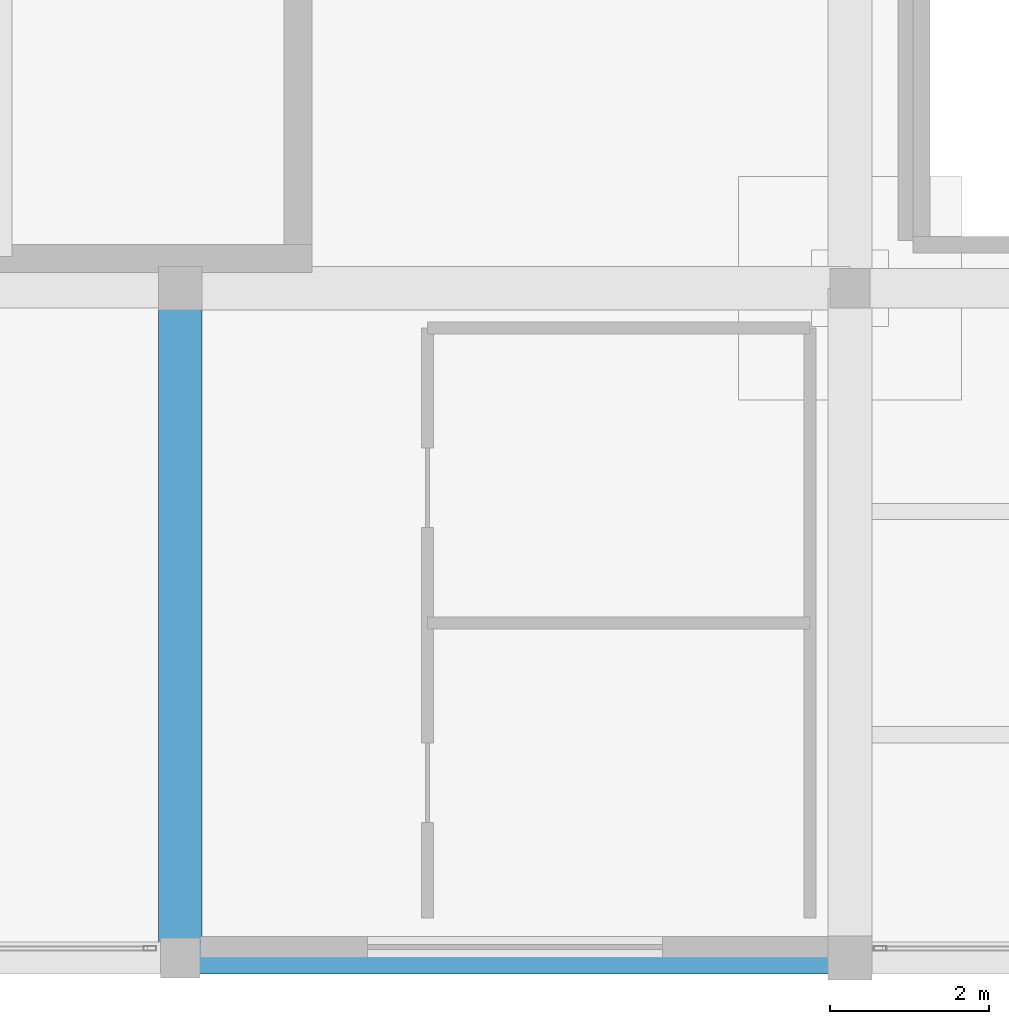
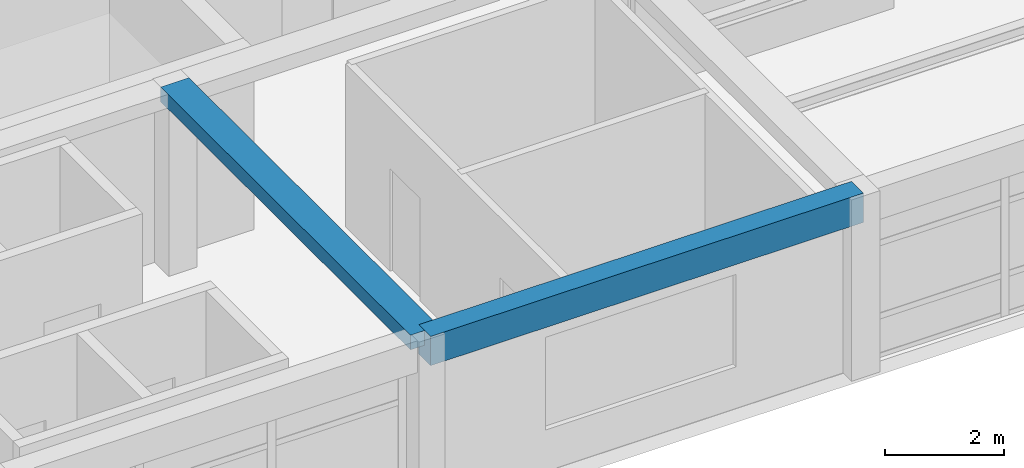
# One storey, part 3 of 22: 2 beams.
"""IFC4 building model written with IfcOpenShell, lengths in metres."""

from ifc_helpers import new_model, si_unit, direction, frame, origin, origin_2d, place, context, subcontext, project, spatial, rectangle, extrude, material, material_profile, profile_set, type_object, element, save


model = new_model("IFC4")

# Units and contexts
model_context = context("Model", 3, precision=1e-05, world=origin(), true_north=direction((0.0, 1.0)))
body_context = subcontext(model_context, "Body", "Model", "MODEL_VIEW")
ifc_project = project(units=[si_unit("LENGTHUNIT", "METRE"), si_unit("AREAUNIT", "SQUARE_METRE"), si_unit("VOLUMEUNIT", "CUBIC_METRE"), si_unit("PLANEANGLEUNIT", "RADIAN"), si_unit("MASSUNIT", "GRAM", prefix="KILO")], contexts=[model_context])

# Site, building, storey
site_placement = place(None, origin())
site = spatial("IfcSite", under=ifc_project, at=site_placement, CompositionType="ELEMENT")
building_placement = place(site_placement, origin())
building = spatial("IfcBuilding", under=site, at=building_placement, Name="Almacenes y Pasaje Nevantli", CompositionType="ELEMENT")
storey_placement = place(building_placement, frame((0.0, 0.0, 58.699951171875)))
storey = spatial("IfcBuildingStorey", under=building, at=storey_placement, Name="L14", CompositionType="ELEMENT", Elevation=58.699951171875)

# Beams
ifc_material_1 = material(Name="Concrete C35/45", Category="concrete")
ifc_material_profile_1 = material_profile(ifc_material_1, rectangle(XDim=0.39990234375, YDim=0.60009765625, at=origin_2d()), Name="RC-BM-400x600")
ifc_profile_set_1 = profile_set([ifc_material_profile_1], Name="Concrete C35/45")
beam_type_1 = type_object("IfcBeamType", Name="BM-RC-400x600", PredefinedType="SPANDREL", material=ifc_profile_set_1)
beam_1_placement = place(storey_placement, frame((126.0, 67.199951171875, 3.420166015625), z_axis=(1.0, 0.0, 0.0), x_axis=(0.0, 1.0, 0.0)))
element("IfcBeam", 1, at=beam_1_placement, inside=storey, type_object=beam_type_1, Name="L14 East-West Reinforced Concrete Beam #3986", PredefinedType="SPANDREL", context=body_context, shape_type="SweptSolid", body=[
    extrude(rectangle(XDim=0.39990234375, YDim=0.60009765625, at=origin_2d()), origin(), (0.0, 0.0, 1.0), 8.39990234375),
])
ifc_material_2 = material(Name="Concrete C35/45", Category="concrete")
ifc_material_profile_2 = material_profile(ifc_material_2, rectangle(XDim=0.550048828125, YDim=0.300048828125, at=origin_2d()), Name="RC-BM-550x300")
ifc_profile_set_2 = profile_set([ifc_material_profile_2], Name="Concrete C35/45")
beam_type_2 = type_object("IfcBeamType", Name="BM-RC-550x300", PredefinedType="BEAM", material=ifc_profile_set_2)
beam_2_placement = place(storey_placement, frame((126.0, 67.199951171875, 3.570068359375), z_axis=(0.0, 1.0, 0.0), x_axis=(-1.0, 0.0, 0.0)))
element("IfcBeam", 2, at=beam_2_placement, inside=storey, type_object=beam_type_2, Name="L14 North-South Reinforced Concrete Beam #4004", PredefinedType="BEAM", context=body_context, shape_type="SweptSolid", body=[
    extrude(rectangle(XDim=0.550048828125, YDim=0.300048828125, at=origin_2d()), origin(), (0.0, 0.0, 1.0), 8.400146484375),
])

save(model, "model.ifc")
